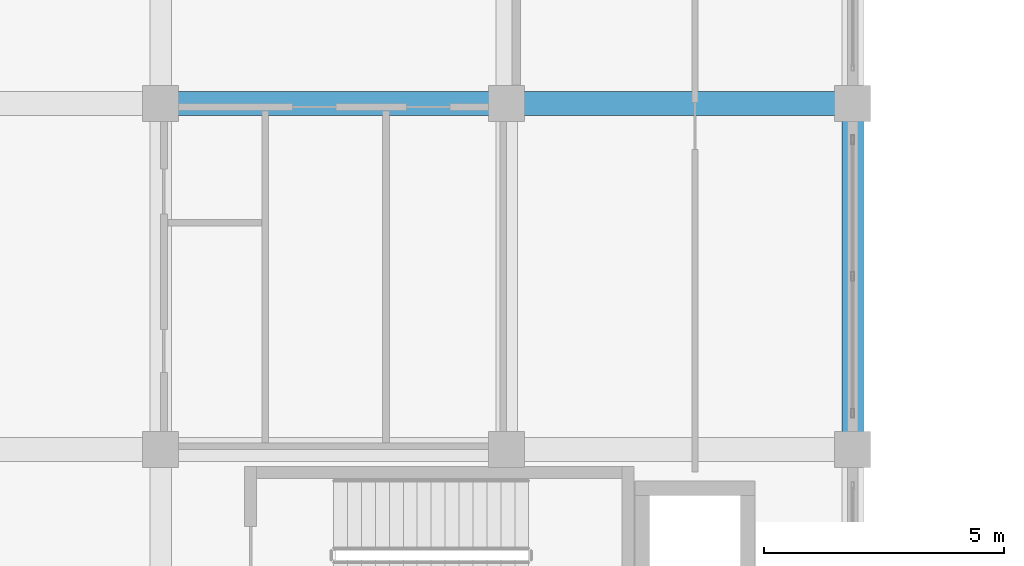
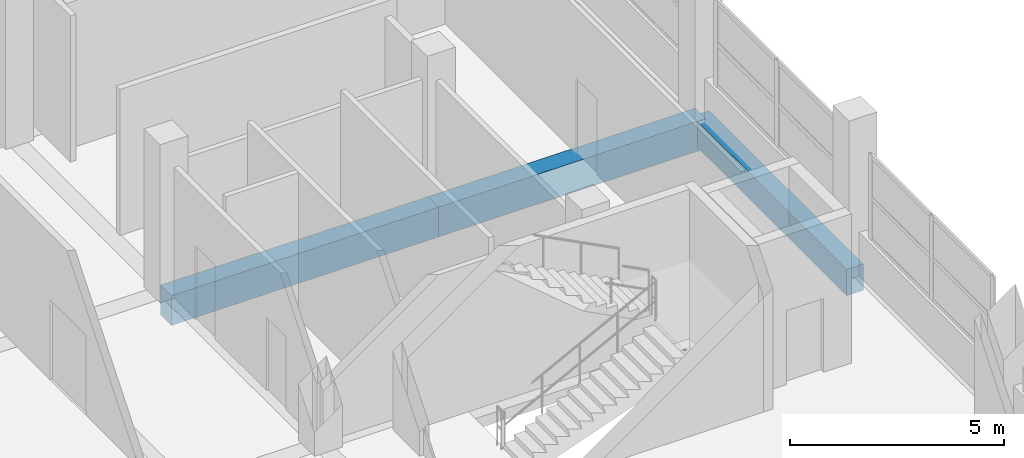
# One storey, part 21 of 141: 3 beams.
"""IFC4 building model written with IfcOpenShell, lengths in metres."""

import ifcopenshell
import ifcopenshell.guid

model = None  # the IFC model being written
_history = None  # IfcOwnerHistory: only IFC2X3 demands one
_inside = {}  # id of a spatial element -> (the spatial element, [elements in it])
_under = {}  # id of a project, library or spatial element -> (it, [spatial elements below it])
_declared = {}  # id of a project -> (the project, [libraries it declares])
_typed = {}  # id of a type object -> (the type object, [elements of that type])
_made_of = {}  # id of a material, layer set ... -> (it, [elements and type objects made of it])


def new_model(schema):
    """Start an empty IFC model of exactly this schema.

    Asked for "IFC4X3", IfcOpenShell would pick the latest addendum, in which some entities
    have other attributes; the version numbers below select the first issue.
    IFC2X3 requires an IfcOwnerHistory on every rooted entity: one is made here for all.
    """
    global model, _history
    if schema == "IFC4X3":
        model = ifcopenshell.file(schema_version=(4, 3, 0, 0))
    else:
        model = ifcopenshell.file(schema=schema)
    _inside.clear()
    _under.clear()
    _declared.clear()
    _typed.clear()
    _made_of.clear()
    _history = None
    if model.schema == "IFC2X3":
        org = make("IfcOrganization", Name="unknown")
        user = make(
            "IfcPersonAndOrganization",
            ThePerson=make("IfcPerson", FamilyName="unknown"),
            TheOrganization=org,
        )
        app = make(
            "IfcApplication",
            ApplicationDeveloper=org,
            Version="unknown",
            ApplicationFullName="unknown",
            ApplicationIdentifier="unknown",
        )
        _history = make(
            "IfcOwnerHistory",
            OwningUser=user,
            OwningApplication=app,
            ChangeAction="ADDED",
            CreationDate=0,
        )
    return model


def make(cls, **values):
    """One entity of the class cls with the attributes given. An attribute that is None is left unset."""
    return model.create_entity(
        cls, **{name: value for name, value in values.items() if value is not None}
    )


def rooted(cls, **values):
    """An entity with a GlobalId (a new one), such as an element, a storey or a relation."""
    return make(cls, GlobalId=ifcopenshell.guid.new(), OwnerHistory=_history, **values)


def si_unit(unit_type, name, prefix=None):
    """IfcSIUnit, for example si_unit("LENGTHUNIT", "METRE", prefix="MILLI")."""
    return make("IfcSIUnit", UnitType=unit_type, Prefix=prefix, Name=name)


def assignment(units):
    """IfcUnitAssignment: the units of a project."""
    return None if units is None else make("IfcUnitAssignment", Units=units)


def point(xyz):
    """IfcCartesianPoint."""
    return None if xyz is None else make("IfcCartesianPoint", Coordinates=xyz)


def direction(xyz):
    """IfcDirection."""
    return None if xyz is None else make("IfcDirection", DirectionRatios=xyz)


def frame(location, z_axis=None, x_axis=None):
    """IfcAxis2Placement3D, a coordinate frame: its origin and axes. An axis left out is left unset."""
    return make(
        "IfcAxis2Placement3D",
        Location=point(location),
        Axis=direction(z_axis),
        RefDirection=direction(x_axis),
    )


def frame_2d(location, x_axis=None):
    """IfcAxis2Placement2D, a coordinate frame in the plane: its origin and x axis."""
    return make(
        "IfcAxis2Placement2D", Location=point(location), RefDirection=direction(x_axis)
    )


def origin():
    """The frame at (0, 0, 0) with its axes left unset."""
    return frame((0.0, 0.0, 0.0))


def origin_2d():
    """The frame at (0, 0) in the plane with its x axis left unset."""
    return frame_2d((0.0, 0.0))


def place(relative_to, where):
    """IfcLocalPlacement: puts the frame where relative to a parent placement (None: the world)."""
    return make(
        "IfcLocalPlacement", PlacementRelTo=relative_to, RelativePlacement=where
    )


def context(
    kind, dimensions, precision=None, world=None, true_north=None, identifier=None
):
    """IfcGeometricRepresentationContext, for example the 3D "Model" context."""
    return make(
        "IfcGeometricRepresentationContext",
        ContextIdentifier=identifier,
        ContextType=kind,
        CoordinateSpaceDimension=dimensions,
        Precision=precision,
        WorldCoordinateSystem=world,
        TrueNorth=true_north,
    )


def subcontext(parent, identifier, kind, view, scale=None):
    """IfcGeometricRepresentationSubContext, for example "Body" below "Model"."""
    return make(
        "IfcGeometricRepresentationSubContext",
        ContextIdentifier=identifier,
        ContextType=kind,
        ParentContext=parent,
        TargetScale=scale,
        TargetView=view,
    )


def project(units=None, contexts=None):
    """IfcProject with its units and contexts."""
    return rooted(
        "IfcProject",
        Name="project",
        RepresentationContexts=contexts,
        UnitsInContext=assignment(units),
    )


def spatial(cls, under=None, at=None, **own):
    """A site, building, storey or space (cls), placed at a placement, below another one or the project."""
    s = rooted(cls, ObjectPlacement=at, **own)
    if under is not None:
        _under.setdefault(under.id(), (under, []))[1].append(s)
    return s


def profile(cls, at=None, kind="AREA", **sizes):
    """A parametric profile (cls). Its sizes go by their IFC names, for example OverallWidth=200.0."""
    return make(cls, ProfileType=kind, Position=at, **sizes)


def rectangle(**sizes):
    """IfcRectangleProfileDef."""
    return profile("IfcRectangleProfileDef", **sizes)


def extrude(swept, where, along, depth):
    """IfcExtrudedAreaSolid: the profile swept, set in the frame where, extruded along a direction by depth."""
    return make(
        "IfcExtrudedAreaSolid",
        SweptArea=swept,
        Position=where,
        ExtrudedDirection=direction(along),
        Depth=depth,
    )


def shape(context_of_items, identifier, shape_type, items):
    """IfcShapeRepresentation: the items that make up one representation, for example the "Body"."""
    return make(
        "IfcShapeRepresentation",
        ContextOfItems=context_of_items,
        RepresentationIdentifier=identifier,
        RepresentationType=shape_type,
        Items=items,
    )


def material(Name=None, Category=None):
    """IfcMaterial."""
    return make("IfcMaterial", Name=Name, Category=Category)


def material_profile(
    of_material, cross_section, Name=None, Category=None, Priority=None
):
    """IfcMaterialProfile: a cross section and its material."""
    return make(
        "IfcMaterialProfile",
        Name=Name,
        Material=of_material,
        Profile=cross_section,
        Priority=Priority,
        Category=Category,
    )


def profile_set(profiles, Name=None, composite=None):
    """IfcMaterialProfileSet."""
    return make(
        "IfcMaterialProfileSet",
        Name=Name,
        MaterialProfiles=profiles,
        CompositeProfile=composite,
    )


def made_of(thing, what):
    """Note that an element or type object is made of a material, layer set ...; save() writes the relation."""
    if what is not None:
        _made_of.setdefault(what.id(), (what, []))[1].append(thing)
    return thing


def type_object(cls, material=None, **own):
    """A type object (cls), such as IfcWallType, which elements share."""
    return made_of(rooted(cls, **own), material)


def element(
    cls,
    number,
    at=None,
    inside=None,
    cuts=None,
    type_object=None,
    material=None,
    context=None,
    identifier="Body",
    shape_type=None,
    held_by="IfcProductDefinitionShape",
    body=None,
    shapes=None,
    **own,
):
    """One element of the class cls, such as IfcWall. Its Tag is "e" and its number.

    at: its placement. inside: the storey or other place that contains it. cuts: it is an
    opening in that element (IfcRelVoidsElement). A single representation is given by context,
    identifier, shape_type and body (its items); several are given by shapes. held_by: the class
    of the entity that holds the representations. save() writes the other relations.
    """
    e = rooted(cls, Tag="e%d" % number, ObjectPlacement=at, **own)
    if body is not None:
        shapes = [shape(context, identifier, shape_type, body)]
    if shapes is not None:
        e.Representation = make(held_by, Representations=shapes)
    if inside is not None:
        _inside.setdefault(inside.id(), (inside, []))[1].append(e)
    if cuts is not None:
        rooted(
            "IfcRelVoidsElement", RelatingBuildingElement=cuts, RelatedOpeningElement=e
        )
    if type_object is not None:
        _typed.setdefault(type_object.id(), (type_object, []))[1].append(e)
    return made_of(e, material)


def aggregate(whole, parts):
    """IfcRelAggregates: a whole, such as a stair, and the parts it consists of."""
    return rooted("IfcRelAggregates", RelatingObject=whole, RelatedObjects=parts)


def save(model, path):
    """Write the relations noted so far, then the file.

    IfcRelAggregates (storeys below a building ...), IfcRelContainedInSpatialStructure (elements
    in a storey), IfcRelDefinesByType, IfcRelAssociatesMaterial and IfcRelDeclares: one each for
    every whole, place, type object, material and project.
    """
    for whole, parts in _under.values():
        aggregate(whole, parts)
    for where, things in _inside.values():
        rooted(
            "IfcRelContainedInSpatialStructure",
            RelatedElements=things,
            RelatingStructure=where,
        )
    for kind, things in _typed.values():
        rooted("IfcRelDefinesByType", RelatedObjects=things, RelatingType=kind)
    for what, things in _made_of.values():
        rooted("IfcRelAssociatesMaterial", RelatedObjects=things, RelatingMaterial=what)
    for by, libraries in _declared.values():
        rooted("IfcRelDeclares", RelatingContext=by, RelatedDefinitions=libraries)
    model.write(path)


model = new_model("IFC4")

# Units and contexts
model_context = context("Model", 3, precision=1e-05, world=origin(), true_north=direction((0.0, 1.0)))
body_context = subcontext(model_context, "Body", "Model", "MODEL_VIEW")
ifc_project = project(units=[si_unit("LENGTHUNIT", "METRE"), si_unit("AREAUNIT", "SQUARE_METRE"), si_unit("VOLUMEUNIT", "CUBIC_METRE"), si_unit("PLANEANGLEUNIT", "RADIAN"), si_unit("MASSUNIT", "GRAM", prefix="KILO")], contexts=[model_context])

# Site, building, storey
site_placement = place(None, origin())
site = spatial("IfcSite", under=ifc_project, at=site_placement, CompositionType="ELEMENT")
building_placement = place(site_placement, origin())
building = spatial("IfcBuilding", under=site, at=building_placement, Name="Seraya Terrace Polytechnic", CompositionType="ELEMENT")
storey_placement = place(building_placement, frame((0.0, 0.0, 14.39990234375)))
storey = spatial("IfcBuildingStorey", under=building, at=storey_placement, Name="L03", CompositionType="ELEMENT", Elevation=14.39990234375)

# Beams
ifc_material = material(Name="Concrete C40/50", Category="concrete")
ifc_material_profile_1 = material_profile(ifc_material, rectangle(XDim=0.5, YDim=0.85009765625, at=origin_2d()), Name="RC 500x850")
ifc_profile_set_1 = profile_set([ifc_material_profile_1], Name="Concrete C40/50")
beam_type_1 = type_object("IfcBeamType", Name="BM-05", PredefinedType="BEAM", material=ifc_profile_set_1)
for number, where, z_axis, x_axis, name in (
    (1, (28.800048828125, 50.39990234375, -0.4248046875), (1.0, 0.0, 0.0), (0.0, 1.0, 0.0), "Beam BM-05 L03 X (28.8..36.0, 50.4)"),
    (2, (36.0, 50.39990234375, -0.4248046875), (1.0, 0.0, 0.0), (0.0, 1.0, 0.0), "Beam BM-05 L03 X (36.0..43.2, 50.4)"),
):
    element("IfcBeam", number, at=place(storey_placement, frame(where, z_axis=z_axis, x_axis=x_axis)), inside=storey, type_object=beam_type_1, Name=name, PredefinedType="BEAM", context=body_context, shape_type="SweptSolid", body=[
        extrude(rectangle(XDim=0.5, YDim=0.85009765625, at=origin_2d()), origin(), (0.0, 0.0, 1.0), 7.199951171875),
    ])
ifc_material_profile_2 = material_profile(ifc_material, rectangle(XDim=0.449951171875, YDim=0.75, at=origin_2d()), Name="RC 450x750")
ifc_profile_set_2 = profile_set([ifc_material_profile_2], Name="Concrete C40/50")
beam_type_2 = type_object("IfcBeamType", Name="BM-08", PredefinedType="BEAM", material=ifc_profile_set_2)
beam_placement = place(storey_placement, frame((43.199951171875, 43.199951171875, -0.375), z_axis=(0.0, 1.0, 0.0), x_axis=(-1.0, 0.0, 0.0)))
element("IfcBeam", 3, at=beam_placement, inside=storey, type_object=beam_type_2, Name="Beam BM-08 L03 Y (43.2, 43.2..50.4)", PredefinedType="BEAM", context=body_context, shape_type="SweptSolid", body=[
    extrude(rectangle(XDim=0.449951171875, YDim=0.75, at=origin_2d()), origin(), (0.0, 0.0, 1.0), 7.199951171875),
])

save(model, "model.ifc")
